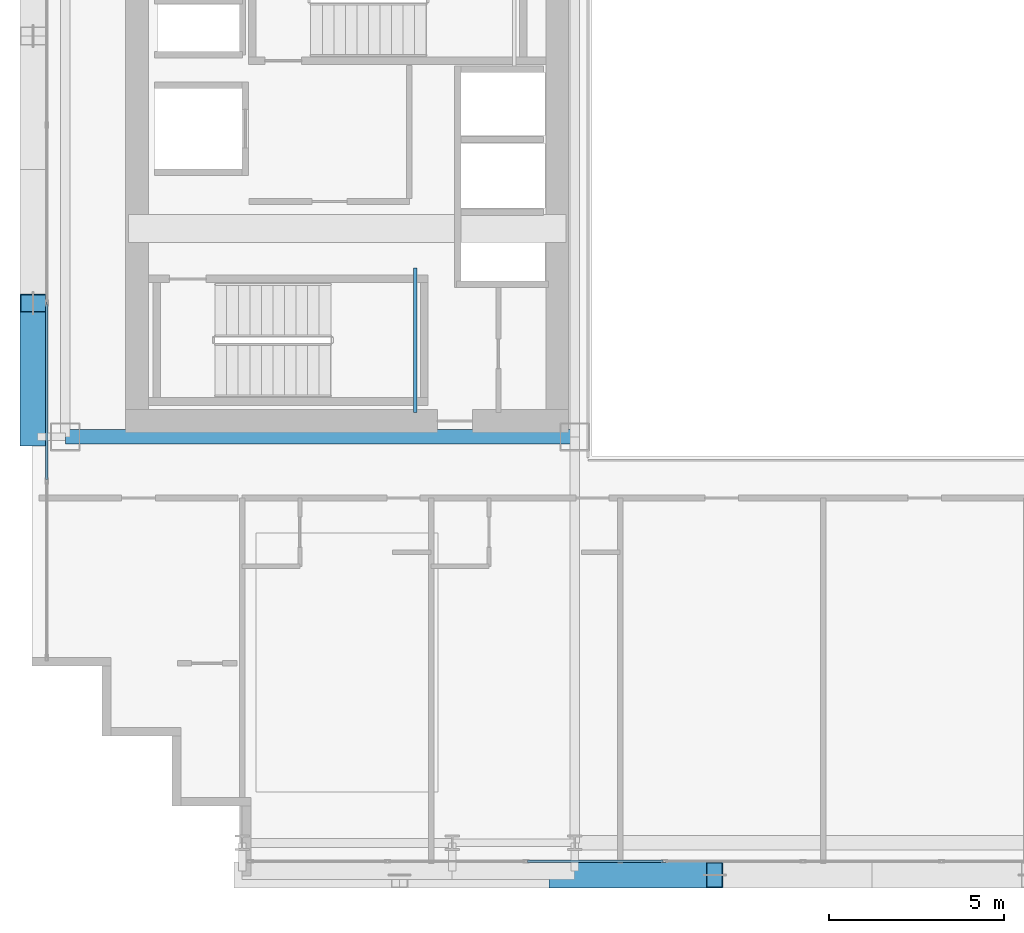
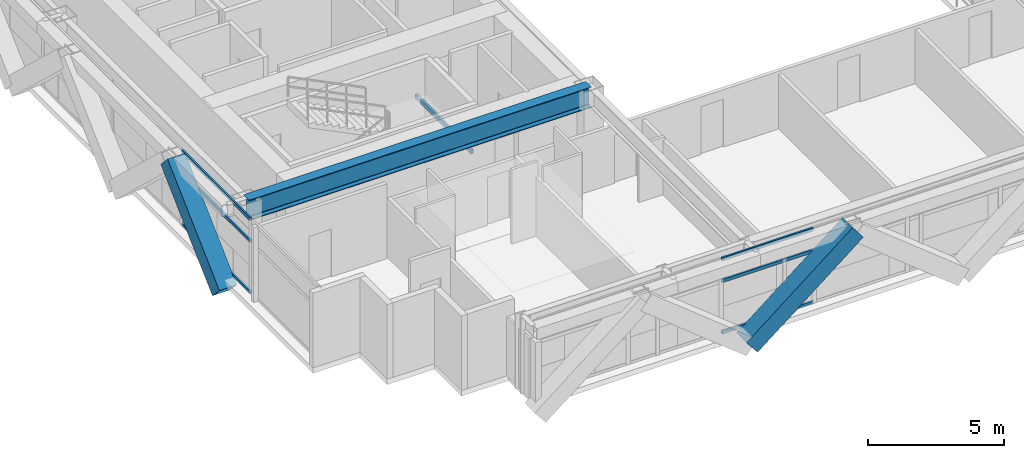
# One storey, part 4 of 35: 8 members, 2 beams, 2 elements without a shape of their own.
"""IFC4 building model written with IfcOpenShell, lengths in metres."""

from ifc_helpers import new_model, si_unit, direction, frame, origin, origin_2d, place, context, subcontext, project, spatial, hollow_rectangle, i_section, extrude, source, transform, mapped, material, layer, layer_set, material_profile, profile_set, type_object, element, aggregate, save


model = new_model("IFC4")

# Units and contexts
model_context = context("Model", 3, precision=1e-05, world=origin(), true_north=direction((0.0, 1.0)))
body_context = subcontext(model_context, "Body", "Model", "MODEL_VIEW")
ifc_project = project(units=[si_unit("LENGTHUNIT", "METRE"), si_unit("AREAUNIT", "SQUARE_METRE"), si_unit("VOLUMEUNIT", "CUBIC_METRE"), si_unit("PLANEANGLEUNIT", "RADIAN"), si_unit("MASSUNIT", "GRAM", prefix="KILO")], contexts=[model_context])

# Site, building, storey
site_placement = place(None, origin())
site = spatial("IfcSite", under=ifc_project, at=site_placement, CompositionType="ELEMENT")
building_placement = place(site_placement, origin())
building = spatial("IfcBuilding", under=site, at=building_placement, Name="Ocotamira Hotel", CompositionType="ELEMENT")
storey_placement = place(building_placement, frame((0.0, 0.0, 118.800048828125)))
storey = spatial("IfcBuildingStorey", under=building, at=storey_placement, Name="L29", CompositionType="ELEMENT", Elevation=118.800048828125)

# Beams
ifc_material_1 = material(Name="Steel ASTM A500 Grade C", Category="steel")
ifc_material_profile_1 = material_profile(ifc_material_1, hollow_rectangle(XDim=0.10009765625, YDim=0.199951171875, WallThickness=0.008056640625, at=origin_2d()), Name="HSS200X100X8")
ifc_profile_set_1 = profile_set([ifc_material_profile_1], Name="Steel ASTM A500 Grade C")
beam_type_1 = type_object("IfcBeamType", Name="BM-STLDG-HSS200", PredefinedType="BEAM", material=ifc_profile_set_1)
shared_shape_1 = source(origin(), body_context, "Body", "SweptSolid", [
    extrude(hollow_rectangle(XDim=0.10009765625, YDim=0.199951171875, WallThickness=0.008056640625, at=origin_2d()), origin(), (0.0, 0.0, 1.0), 4.1201171875),
])
beam_1_placement = place(storey_placement, frame((18.949951171875, 15.25, 1.5), z_axis=(0.0, 1.0, 0.0), x_axis=(-1.0, 0.0, 0.0)))
element("IfcBeam", 1, at=beam_1_placement, inside=storey, type_object=beam_type_1, Name="L29 Stair ST-1 Landing Bearer 1", PredefinedType="BEAM", context=body_context, shape_type="MappedRepresentation", body=[
    mapped(shared_shape_1, transform((0.0, 0.0, 0.0), scale=1.0)),
])
ifc_material_2 = material(Name="Steel ASTM A992 Grade 50", Category="steel")
ifc_material_profile_2 = material_profile(ifc_material_2, i_section(OverallWidth=0.41796875, OverallDepth=0.927001953125, WebThickness=0.019287109375, FlangeThickness=0.031982421875, FilletRadius=0.02392578125, at=origin_2d()), Name="W36X231")
ifc_profile_set_2 = profile_set([ifc_material_profile_2], Name="Steel ASTM A992 Grade 50")
beam_type_2 = type_object("IfcBeamType", Name="BM-GIRD-W36X231", PredefinedType="BEAM", material=ifc_profile_set_2)
shared_shape_2 = source(origin(), body_context, "Body", "SweptSolid", [
    extrude(i_section(OverallWidth=0.41796875, OverallDepth=0.927001953125, WebThickness=0.019287109375, FlangeThickness=0.031982421875, FilletRadius=0.02392578125, at=origin_2d()), origin(), (0.0, 0.0, 1.0), 14.550048828125),
])
beam_2_placement = place(storey_placement, frame((8.949951171875, 14.550048828125, 2.896484375), z_axis=(1.0, 0.0, 0.0), x_axis=(0.0, 1.0, 0.0)))
element("IfcBeam", 2, at=beam_2_placement, inside=storey, type_object=beam_type_2, Name="L29 Girder Y14.55 X8.95-23.5", PredefinedType="BEAM", context=body_context, shape_type="MappedRepresentation", body=[
    mapped(shared_shape_2, transform((0.0, 0.0, 0.0), scale=1.0)),
])

# Members
ifc_material_3 = material(Name="Pale-metal coated steel ASTM A913 Grade 65", Category="steel")
ifc_material_profile_3 = material_profile(ifc_material_3, hollow_rectangle(XDim=0.75, YDim=0.75, WallThickness=0.028076171875, at=origin_2d()), Name="BOX750X750X28")
ifc_profile_set_3 = profile_set([ifc_material_profile_3], Name="Pale-metal coated steel ASTM A913 Grade 65")
member_type_1 = type_object("IfcMemberType", Name="MEM-EXO-BOX750", PredefinedType="BRACE", material=ifc_profile_set_3)
shared_shape_3 = source(origin(), body_context, "Body", "SweptSolid", [
    extrude(hollow_rectangle(XDim=0.75, YDim=0.75, WallThickness=0.028076171875, at=origin_2d()), origin(), (0.0, 0.0, 1.0), 5.24658203125),
])
member_1_placement = place(storey_placement, frame((8.030029296875, 14.550048828125, -0.489990234375), z_axis=(0.0, 0.72746596067, 0.686143772154), x_axis=(-1.0, 0.0, 0.0)))
element("IfcMember", 3, at=member_1_placement, inside=storey, type_object=member_type_1, Name="L29 Exoskeleton Diagrid W0.1", PredefinedType="BRACE", context=body_context, shape_type="MappedRepresentation", body=[
    mapped(shared_shape_3, transform((0.0, 0.0, 0.0), scale=1.0)),
])
shared_shape_4 = source(origin(), body_context, "Body", "SweptSolid", [
    extrude(hollow_rectangle(XDim=0.75, YDim=0.75, WallThickness=0.028076171875, at=origin_2d()), origin(), (0.0, 0.0, 1.0), 5.7626953125),
])
member_2_placement = place(storey_placement, frame((23.0, 2.030029296875, -0.489990234375), z_axis=(0.780881208953, 0.0, 0.624679547852), x_axis=(0.0, 1.0, 0.0)))
element("IfcMember", 4, at=member_2_placement, inside=storey, type_object=member_type_1, Name="L29 Exoskeleton Diagrid S1.1", PredefinedType="BRACE", context=body_context, shape_type="MappedRepresentation", body=[
    mapped(shared_shape_4, transform((0.0, 0.0, 0.0), scale=1.0)),
])

# Curtain wall, members
ifc_material_4 = material(Name="Anodised pale-metal aluminium and solar glass", Category="aluminium")
ifc_layer = layer(ifc_material_4, 0.179931640625)
ifc_layer_set = layer_set([ifc_layer], Name="Anodised pale-metal aluminium and solar glass")
curtain_wall_type = type_object("IfcCurtainWallType", Name="CW-SYS3-Z2", PredefinedType="NOTDEFINED", material=ifc_layer_set)
curtain_wall_1_placement = place(storey_placement, origin())
curtain_wall_1 = element("IfcCurtainWall", 5, at=curtain_wall_1_placement, inside=storey, type_object=curtain_wall_type, Name="L29 Curtain Wall CW-3 CW-L29-S1", PredefinedType="NOTDEFINED")
ifc_material_5 = material(Name="Anodised pale-metal aluminium 6063-T6", Category="aluminium")
ifc_material_profile_4 = material_profile(ifc_material_5, hollow_rectangle(XDim=0.074951171875, YDim=0.14990234375, WallThickness=0.006103515625, at=origin_2d()), Name="HSS150X75X6")
ifc_profile_set_4 = profile_set([ifc_material_profile_4], Name="Anodised pale-metal aluminium 6063-T6")
member_type_2 = type_object("IfcMemberType", Name="CWT-150X75", PredefinedType="USERDEFINED", material=ifc_profile_set_4)
shared_shape_5 = source(origin(), body_context, "Body", "SweptSolid", [
    extrude(hollow_rectangle(XDim=0.074951171875, YDim=0.14990234375, WallThickness=0.006103515625, at=origin_2d()), origin(), (0.0, 0.0, 1.0), 3.87548828125),
])
member_3_placement = place(storey_placement, frame((22.151123046875, 2.419921875, 0.037353515625), z_axis=(1.0, 0.0, 0.0), x_axis=(0.0, 1.0, 0.0)))
member_3 = element("IfcMember", 6, at=member_3_placement, type_object=member_type_2, Name="CW-3 transom 3.1", ObjectType="TRANSOM", PredefinedType="USERDEFINED", context=body_context, shape_type="MappedRepresentation", body=[
    mapped(shared_shape_5, transform((0.0, 0.0, 0.0), scale=1.0)),
])
member_4_placement = place(storey_placement, frame((22.151123046875, 2.419921875, 2.349853515625), z_axis=(1.0, 0.0, 0.0), x_axis=(0.0, 1.0, 0.0)))
member_4 = element("IfcMember", 7, at=member_4_placement, type_object=member_type_2, Name="CW-3 transom 3.2", ObjectType="TRANSOM", PredefinedType="USERDEFINED", context=body_context, shape_type="MappedRepresentation", body=[
    mapped(shared_shape_5, transform((0.0, 0.0, 0.0), scale=1.0)),
])
member_5_placement = place(storey_placement, frame((22.151123046875, 2.419921875, 3.322509765625), z_axis=(1.0, 0.0, 0.0), x_axis=(0.0, 1.0, 0.0)))
member_5 = element("IfcMember", 8, at=member_5_placement, type_object=member_type_2, Name="CW-3 transom 3.3", ObjectType="TRANSOM", PredefinedType="USERDEFINED", context=body_context, shape_type="MappedRepresentation", body=[
    mapped(shared_shape_5, transform((0.0, 0.0, 0.0), scale=1.0)),
])
aggregate(curtain_wall_1, [member_3, member_4, member_5])

curtain_wall_2_placement = place(storey_placement, origin())
curtain_wall_2 = element("IfcCurtainWall", 9, at=curtain_wall_2_placement, inside=storey, type_object=curtain_wall_type, Name="L29 Curtain Wall CW-3 CW-L29-W", PredefinedType="NOTDEFINED")
shared_shape_6 = source(origin(), body_context, "Body", "SweptSolid", [
    extrude(hollow_rectangle(XDim=0.074951171875, YDim=0.14990234375, WallThickness=0.006103515625, at=origin_2d()), origin(), (0.0, 0.0, 1.0), 5.005859375),
])
member_6_placement = place(storey_placement, frame((8.419921875, 13.32568359375, 0.037353515625), z_axis=(0.0, 1.0, 0.0), x_axis=(-1.0, 0.0, 0.0)))
member_6 = element("IfcMember", 10, at=member_6_placement, type_object=member_type_2, Name="CW-3 transom 2.1", ObjectType="TRANSOM", PredefinedType="USERDEFINED", context=body_context, shape_type="MappedRepresentation", body=[
    mapped(shared_shape_6, transform((0.0, 0.0, 0.0), scale=1.0)),
])
member_7_placement = place(storey_placement, frame((8.419921875, 13.32568359375, 2.349853515625), z_axis=(0.0, 1.0, 0.0), x_axis=(-1.0, 0.0, 0.0)))
member_7 = element("IfcMember", 11, at=member_7_placement, type_object=member_type_2, Name="CW-3 transom 2.2", ObjectType="TRANSOM", PredefinedType="USERDEFINED", context=body_context, shape_type="MappedRepresentation", body=[
    mapped(shared_shape_6, transform((0.0, 0.0, 0.0), scale=1.0)),
])
member_8_placement = place(storey_placement, frame((8.419921875, 13.32568359375, 3.322509765625), z_axis=(0.0, 1.0, 0.0), x_axis=(-1.0, 0.0, 0.0)))
member_8 = element("IfcMember", 12, at=member_8_placement, type_object=member_type_2, Name="CW-3 transom 2.3", ObjectType="TRANSOM", PredefinedType="USERDEFINED", context=body_context, shape_type="MappedRepresentation", body=[
    mapped(shared_shape_6, transform((0.0, 0.0, 0.0), scale=1.0)),
])
aggregate(curtain_wall_2, [member_6, member_7, member_8])

save(model, "model.ifc")
